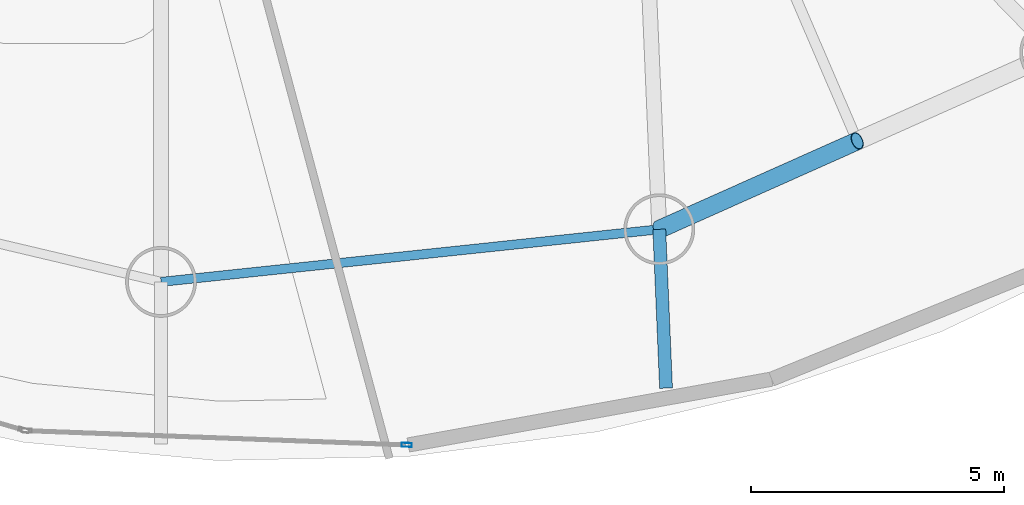
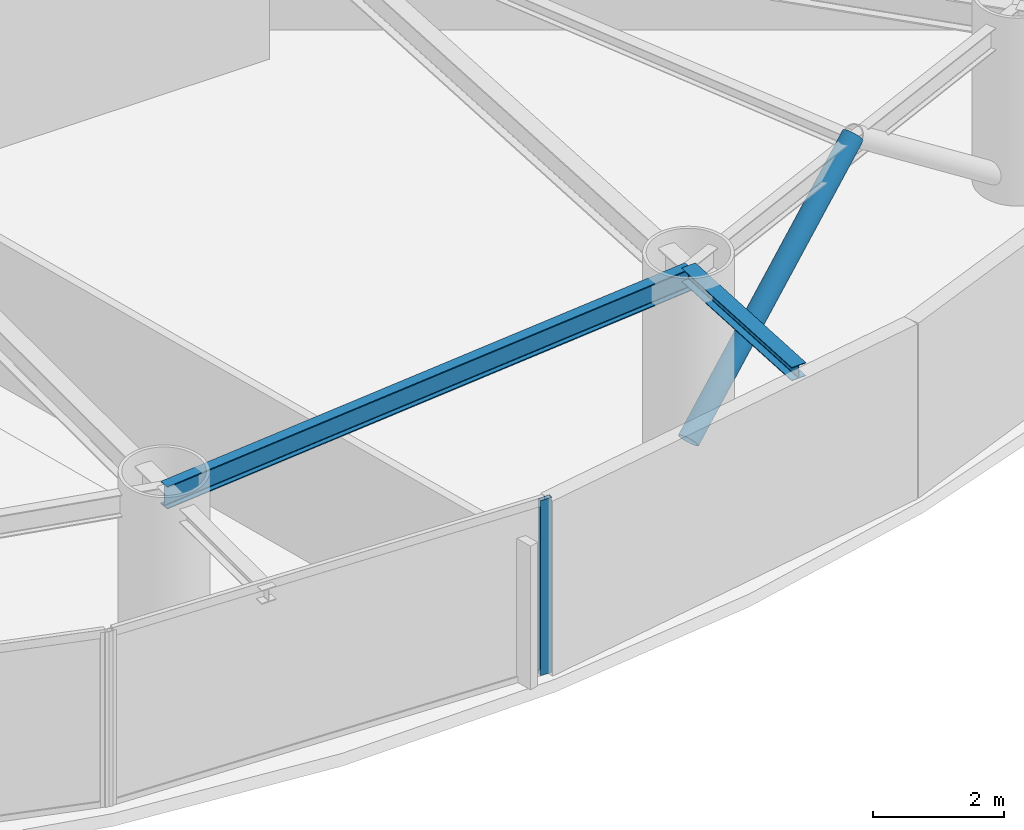
# One storey, part 6 of 22: 2 beams, 2 members, 1 element without a shape of its own.
"""IFC4 building model written with IfcOpenShell, lengths in metres."""

from ifc_helpers import new_model, si_unit, direction, frame, origin, origin_2d, place, context, subcontext, project, spatial, hollow_rectangle, hollow_circle, i_section, extrude, material, layer, layer_set, material_profile, profile_set, type_object, element, aggregate, save


model = new_model("IFC4")

# Units and contexts
model_context = context("Model", 3, precision=1e-05, world=origin(), true_north=direction((0.0, 1.0)))
body_context = subcontext(model_context, "Body", "Model", "MODEL_VIEW")
ifc_project = project(units=[si_unit("LENGTHUNIT", "METRE"), si_unit("AREAUNIT", "SQUARE_METRE"), si_unit("VOLUMEUNIT", "CUBIC_METRE"), si_unit("PLANEANGLEUNIT", "RADIAN"), si_unit("MASSUNIT", "GRAM", prefix="KILO")], contexts=[model_context])

# Site, building, storey
site_placement = place(None, origin())
site = spatial("IfcSite", under=ifc_project, at=site_placement, CompositionType="ELEMENT")
building_placement = place(site_placement, origin())
building = spatial("IfcBuilding", under=site, at=building_placement, Name="Bramvorn Convention Spire", CompositionType="ELEMENT")
storey_placement = place(building_placement, frame((0.0, 0.0, 127.300048828125)))
storey = spatial("IfcBuildingStorey", under=building, at=storey_placement, Name="L31", CompositionType="ELEMENT", Elevation=127.300048828125)

# Beams
ifc_material_1 = material(Name="Steel CSA G40.21 Grade 350 (350W)", Category="steel")
ifc_material_profile_1 = material_profile(ifc_material_1, i_section(OverallWidth=0.25390625, OverallDepth=0.2529296875, WebThickness=0.008544921875, FlangeThickness=0.01416015625, FilletRadius=0.011962890625, at=origin_2d()))
ifc_profile_set_1 = profile_set([ifc_material_profile_1], Name="Steel CSA G40.21 Grade 350 (350W) - W250X73")
beam_type_1 = type_object("IfcBeamType", Name="BM-W250X73", PredefinedType="BEAM", material=ifc_profile_set_1)
beam_1_placement = place(storey_placement, frame((49.76171875, 6.521240234375, 3.133544921875), z_axis=(0.042549409607, -0.999094363783, 0.0), x_axis=(0.999094363783, 0.042549409607, 0.0)))
element("IfcBeam", 1, at=beam_1_placement, inside=storey, type_object=beam_type_1, Name="L31 slab-edge cantilever tip beam MC15", PredefinedType="BEAM", context=body_context, shape_type="SweptSolid", body=[
    extrude(i_section(OverallWidth=0.25390625, OverallDepth=0.2529296875, WebThickness=0.008544921875, FlangeThickness=0.01416015625, FilletRadius=0.011962890625, at=origin_2d()), origin(), (0.0, 0.0, 1.0), 3.138671875),
])
ifc_material_profile_2 = material_profile(ifc_material_1, i_section(OverallWidth=0.180908203125, OverallDepth=0.4169921875, WebThickness=0.010986328125, FlangeThickness=0.018310546875, FilletRadius=0.01611328125, at=origin_2d()))
ifc_profile_set_2 = profile_set([ifc_material_profile_2], Name="Steel CSA G40.21 Grade 350 (350W) - W410X85")
beam_type_2 = type_object("IfcBeamType", Name="BM-W410X85", PredefinedType="JOIST", material=ifc_profile_set_2)
beam_2_placement = place(storey_placement, frame((39.924072265625, 5.482666015625, 3.051513671875), z_axis=(0.994473491975, 0.104987969596, 0.0), x_axis=(-0.104987969596, 0.994473491975, 0.0)))
element("IfcBeam", 2, at=beam_2_placement, inside=storey, type_object=beam_type_2, Name="L31 mega-column ring beam 14", PredefinedType="JOIST", context=body_context, shape_type="SweptSolid", body=[
    extrude(i_section(OverallWidth=0.180908203125, OverallDepth=0.4169921875, WebThickness=0.010986328125, FlangeThickness=0.018310546875, FilletRadius=0.01611328125, at=origin_2d()), origin(), (0.0, 0.0, 1.0), 9.892333984375),
])

# Curtain wall, member
ifc_material_2 = material(Name="Anodised Bronze Unitised Curtain Wall", Category="aluminium")
ifc_layer = layer(ifc_material_2, 0.179931640625)
ifc_layer_set = layer_set([ifc_layer], Name="Anodised Bronze Unitised Curtain Wall - CW-HTL-FRIT")
curtain_wall_type = type_object("IfcCurtainWallType", Name="CW-HTL-FRIT", PredefinedType="USERDEFINED", material=ifc_layer_set)
curtain_wall_placement = place(storey_placement, origin())
curtain_wall = element("IfcCurtainWall", 3, at=curtain_wall_placement, inside=storey, type_object=curtain_wall_type, Name="L31 fritted glass curtain wall 20", ObjectType="UNITISED CURTAIN WALL", PredefinedType="USERDEFINED")
ifc_material_3 = material(Name="Anodised Bronze Aluminium 6063-T6", Category="aluminium")
ifc_material_profile_3 = material_profile(ifc_material_3, hollow_rectangle(XDim=0.080078125, YDim=0.199951171875, WallThickness=0.00390625, InnerFilletRadius=0.0009765625, OuterFilletRadius=0.00390625, at=origin_2d()))
ifc_profile_set_3 = profile_set([ifc_material_profile_3], Name="Anodised Bronze Aluminium 6063-T6 - CWM80X200")
member_type_1 = type_object("IfcMemberType", Name="CW-MUL-180", PredefinedType="MULLION", material=ifc_profile_set_3)
member_1_placement = place(storey_placement, frame((44.776123046875, 2.263671875, 0.0), z_axis=(0.0, 0.0, 1.0), x_axis=(-0.037520330185, -0.999295864508, 0.0)))
member_1 = element("IfcMember", 4, at=member_1_placement, type_object=member_type_1, Name="CW2 mullion 1", PredefinedType="MULLION", context=body_context, shape_type="SweptSolid", body=[
    extrude(hollow_rectangle(XDim=0.080078125, YDim=0.199951171875, WallThickness=0.00390625, InnerFilletRadius=0.0009765625, OuterFilletRadius=0.00390625, at=origin_2d()), origin(), (0.0, 0.0, 1.0), 3.260009765625),
])
aggregate(curtain_wall, [member_1])

# Member
ifc_material_profile_4 = material_profile(ifc_material_1, hollow_circle(Radius=0.177734375, WallThickness=0.015869140625, at=origin_2d()))
ifc_profile_set_4 = profile_set([ifc_material_profile_4], Name="Steel CSA G40.21 Grade 350 (350W) - CHS356X16")
member_type_2 = type_object("IfcMemberType", Name="MBR-CHS356X16", PredefinedType="BRACE", material=ifc_profile_set_4)
member_2_placement = place(storey_placement, frame((49.76171875, 6.521240234375, 0.0), z_axis=(0.726493716718, 0.324272457743, 0.605850024939), x_axis=(-0.407593096918, 0.913163658577, 0.0)))
element("IfcMember", 5, at=member_2_placement, inside=storey, type_object=member_type_2, Name="L31 perimeter Gothic lancet brace 15A", PredefinedType="BRACE", context=body_context, shape_type="SweptSolid", body=[
    extrude(hollow_circle(Radius=0.177734375, WallThickness=0.015869140625, at=origin_2d()), origin(), (0.0, 0.0, 1.0), 5.380859375),
])

save(model, "model.ifc")
